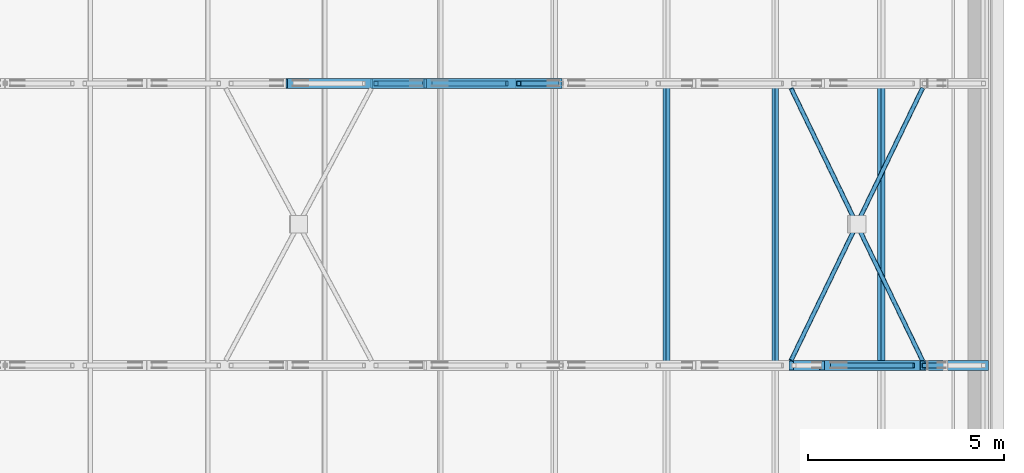
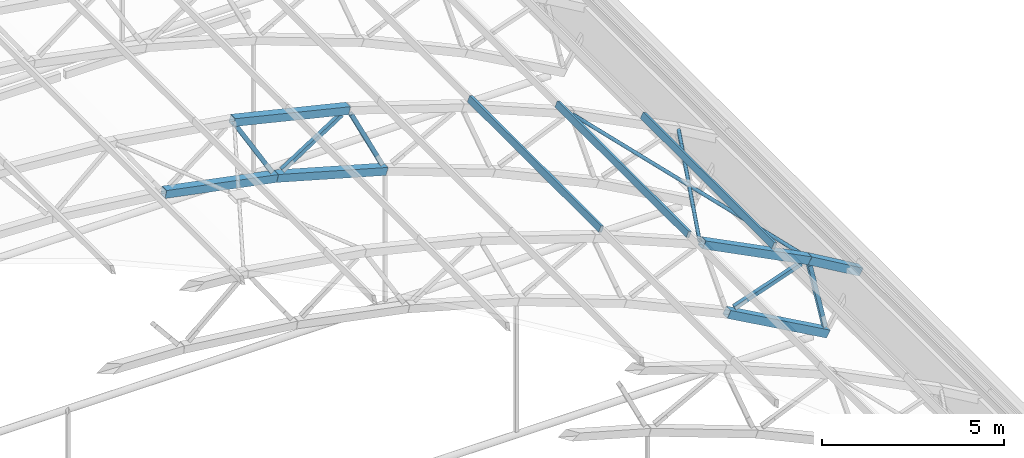
# One storey, part 60 of 127: 17 members.
"""IFC4 building model written with IfcOpenShell, lengths in metres."""

from ifc_helpers import new_model, si_unit, direction, frame, origin, origin_2d, place, context, subcontext, project, spatial, hollow_rectangle, hollow_circle, extrude, material, material_profile, profile_set, type_object, element, save


model = new_model("IFC4")

# Units and contexts
model_context = context("Model", 3, precision=1e-05, world=origin(), true_north=direction((0.0, 1.0)))
body_context = subcontext(model_context, "Body", "Model", "MODEL_VIEW")
ifc_project = project(units=[si_unit("LENGTHUNIT", "METRE"), si_unit("AREAUNIT", "SQUARE_METRE"), si_unit("VOLUMEUNIT", "CUBIC_METRE"), si_unit("PLANEANGLEUNIT", "RADIAN"), si_unit("MASSUNIT", "GRAM", prefix="KILO")], contexts=[model_context])

# Site, building, storey
site_placement = place(None, origin())
site = spatial("IfcSite", under=ifc_project, at=site_placement, CompositionType="ELEMENT")
building_placement = place(site_placement, origin())
building = spatial("IfcBuilding", under=site, at=building_placement, Name="Verrick Yard Athletic Hall", CompositionType="ELEMENT")
storey_placement = place(building_placement, frame((0.0, 0.0, 14.0)))
storey = spatial("IfcBuildingStorey", under=building, at=storey_placement, Name="L03", CompositionType="ELEMENT", Elevation=14.0)

# Members
ifc_material = material(Name="Structural steel HSS Class C 350W (CSA G40.20/G40.21)", Category="steel")
ifc_material_profile_1 = material_profile(ifc_material, hollow_rectangle(XDim=0.25390625, YDim=0.25390625, WallThickness=0.009521484375, at=origin_2d()), Name="HSS254x254x9.5")
ifc_profile_set_1 = profile_set([ifc_material_profile_1], Name="Structural steel HSS Class C 350W (CSA G40.20/G40.21)")
member_type_1 = type_object("IfcMemberType", Name="HB bottom chord HSS254x254x9.5", PredefinedType="CHORD", material=ifc_profile_set_1)
member_1_placement = place(storey_placement, frame((166.45654296875, 86.39990234375, 1.757080078125), z_axis=(0.872897627776, 0.0, -0.487903403783), x_axis=(0.0, 1.0, 0.0)))
element("IfcMember", 1, at=member_1_placement, inside=storey, type_object=member_type_1, Name="Truss TA3 bottom chord 14", PredefinedType="CHORD", context=body_context, shape_type="SweptSolid", body=[
    extrude(hollow_rectangle(XDim=0.25390625, YDim=0.25390625, WallThickness=0.009521484375, at=origin_2d()), origin(), (0.0, 0.0, 1.0), 3.601318359375),
])
for number, where, z_axis, x_axis, name in (
    (2, (152.789306640625, 93.60009765625, 6.191650390625), (0.980848695375, 0.0, -0.194771242181), (0.0, 1.0, 0.0), "Truss TA4 bottom chord 10"),
    (3, (156.326171875, 93.60009765625, 5.489013671875), (0.962577364933, 0.0, -0.271007041457), (0.0, 1.0, 0.0), "Truss TA4 bottom chord 11"),
):
    element("IfcMember", number, at=place(storey_placement, frame(where, z_axis=z_axis, x_axis=x_axis)), inside=storey, type_object=member_type_1, Name=name, PredefinedType="CHORD", context=body_context, shape_type="SweptSolid", body=[
        extrude(hollow_rectangle(XDim=0.25390625, YDim=0.25390625, WallThickness=0.009521484375, at=origin_2d()), origin(), (0.0, 0.0, 1.0), 3.59619140625),
    ])
ifc_material_profile_2 = material_profile(ifc_material, hollow_rectangle(XDim=0.1015625, YDim=0.203125, WallThickness=0.009521484375, at=origin_2d()), Name="HSS203x102x9.5")
ifc_profile_set_2 = profile_set([ifc_material_profile_2], Name="Structural steel HSS Class C 350W (CSA G40.20/G40.21)")
member_type_2 = type_object("IfcMemberType", Name="HB purlin HSS203x102x9.5", PredefinedType="PURLIN", material=ifc_profile_set_2)
for number, where, z_axis, x_axis, name in (
    (4, (162.48486328125, 86.39990234375, 5.92431640625), (0.0, 1.0, 0.0), (-0.924122791552, 0.0, 0.382095624331), "HB-PU-A-3-15"),
    (5, (165.25732421875, 86.39990234375, 4.778076171875), (0.0, 1.0, 0.0), (-0.924122791552, 0.0, 0.382095624331), "HB-PU-A-3-16"),
    (6, (167.965087890625, 86.39990234375, 3.44873046875), (0.0, 1.0, 0.0), (-0.891352741199, 0.0, 0.453310369126), "HB-PU-A-3-17"),
):
    element("IfcMember", number, at=place(storey_placement, frame(where, z_axis=z_axis, x_axis=x_axis)), inside=storey, type_object=member_type_2, Name=name, PredefinedType="PURLIN", context=body_context, shape_type="SweptSolid", body=[
        extrude(hollow_rectangle(XDim=0.1015625, YDim=0.203125, WallThickness=0.009521484375, at=origin_2d()), origin(), (0.0, 0.0, 1.0), 7.2001953125),
    ])
ifc_material_profile_3 = material_profile(ifc_material, hollow_circle(Radius=0.05712890625, WallThickness=0.00634765625, at=origin_2d()), Name="HSS114x6.4")
ifc_profile_set_3 = profile_set([ifc_material_profile_3], Name="Structural steel HSS Class C 350W (CSA G40.20/G40.21)")
member_type_3 = type_object("IfcMemberType", Name="HB roof brace HSS114x6.4", PredefinedType="BRACE", material=ifc_profile_set_3)
for number, where, z_axis, x_axis, name in (
    (7, (165.665283203125, 86.527099609375, 4.362060546875), (0.424555063526, 0.879276717205, -0.215929276887), (-0.90052090018, 0.434812727895, 0.0), "HB-BR-A-3-12b1"),
    (8, (167.386962890625, 90.0927734375, 3.486328125), (0.424607122794, 0.879253008538, -0.215923454607), (-0.900495431236, 0.434865471524, 0.0), "HB-BR-A-3-12b2"),
):
    element("IfcMember", number, at=place(storey_placement, frame(where, z_axis=z_axis, x_axis=x_axis)), inside=storey, type_object=member_type_3, Name=name, PredefinedType="BRACE", context=body_context, shape_type="SweptSolid", body=[
        extrude(hollow_circle(Radius=0.05712890625, WallThickness=0.00634765625, at=origin_2d()), origin(), (0.0, 0.0, 1.0), 3.84423828125),
    ])
member_2_placement = place(storey_placement, frame((169.019287109375, 86.527099609375, 2.65625), z_axis=(-0.424580314375, 0.879262625126, 0.215937010958), x_axis=(-0.90050804506, -0.434839350546, 0.0)))
element("IfcMember", 9, at=member_2_placement, inside=storey, type_object=member_type_3, Name="HB-BR-A-3-12a", PredefinedType="BRACE", context=body_context, shape_type="SweptSolid", body=[
    extrude(hollow_circle(Radius=0.05712890625, WallThickness=0.00634765625, at=origin_2d()), origin(), (0.0, 0.0, 1.0), 7.899658203125),
])
ifc_material_profile_4 = material_profile(ifc_material, hollow_rectangle(XDim=0.25390625, YDim=0.25390625, WallThickness=0.009521484375, at=origin_2d()), Name="HSS254x254x9.5")
ifc_profile_set_4 = profile_set([ifc_material_profile_4], Name="Structural steel HSS Class C 350W (CSA G40.20/G40.21)")
member_type_4 = type_object("IfcMemberType", Name="HB top chord HSS254x254x9.5", PredefinedType="CHORD", material=ifc_profile_set_4)
member_3_placement = place(storey_placement, frame((165.669677734375, 86.39990234375, 4.35986328125), z_axis=(0.891336584454, 0.0, -0.453342137037), x_axis=(0.0, 1.0, 0.0)))
element("IfcMember", 10, at=member_3_placement, inside=storey, type_object=member_type_4, Name="Truss TA3 top chord 14", PredefinedType="CHORD", context=body_context, shape_type="SweptSolid", body=[
    extrude(hollow_rectangle(XDim=0.25390625, YDim=0.25390625, WallThickness=0.009521484375, at=origin_2d()), origin(), (0.0, 0.0, 1.0), 3.754150390625),
])
member_4_placement = place(storey_placement, frame((169.0224609375, 86.39990234375, 2.654541015625), z_axis=(0.863174775639, 0.0, -0.504905245269), x_axis=(0.0, 1.0, 0.0)))
element("IfcMember", 11, at=member_4_placement, inside=storey, type_object=member_type_4, Name="Truss TA3 top chord 15", PredefinedType="CHORD", context=body_context, shape_type="SweptSolid", body=[
    extrude(hollow_rectangle(XDim=0.25390625, YDim=0.25390625, WallThickness=0.009521484375, at=origin_2d()), origin(), (0.0, 0.0, 1.0), 1.878173828125),
])
member_5_placement = place(storey_placement, frame((154.9541015625, 93.60009765625, 7.836669921875), z_axis=(0.972457525524, 0.0, -0.233080160141), x_axis=(0.0, 1.0, 0.0)))
element("IfcMember", 12, at=member_5_placement, inside=storey, type_object=member_type_4, Name="Truss TA4 top chord 11", PredefinedType="CHORD", context=body_context, shape_type="SweptSolid", body=[
    extrude(hollow_rectangle(XDim=0.25390625, YDim=0.25390625, WallThickness=0.009521484375, at=origin_2d()), origin(), (0.0, 0.0, 1.0), 3.7529296875),
])
ifc_material_profile_5 = material_profile(ifc_material, hollow_rectangle(XDim=0.126953125, YDim=0.126953125, WallThickness=0.009521484375, at=origin_2d()), Name="HSS127x127x9.5")
ifc_profile_set_5 = profile_set([ifc_material_profile_5], Name="Structural steel HSS Class C 350W (CSA G40.20/G40.21)")
member_type_5 = type_object("IfcMemberType", Name="HB truss web HSS127x127x9.5", PredefinedType="BRACE", material=ifc_profile_set_5)
member_6_placement = place(storey_placement, frame((166.68701171875, 86.39990234375, 1.841552734375), z_axis=(0.944026930686, 0.0, 0.329868389118), x_axis=(0.0, 1.0, 0.0)))
element("IfcMember", 13, at=member_6_placement, inside=storey, type_object=member_type_5, Name="Truss TA3 web 27", PredefinedType="BRACE", context=body_context, shape_type="SweptSolid", body=[
    extrude(hollow_rectangle(XDim=0.126953125, YDim=0.126953125, WallThickness=0.009521484375, at=origin_2d()), origin(), (0.0, 0.0, 1.0), 2.233642578125),
])
member_7_placement = place(storey_placement, frame((169.068603515625, 86.39990234375, 2.430419921875), z_axis=(0.213603528569, 0.0, -0.976920433087), x_axis=(0.0, 1.0, 0.0)))
element("IfcMember", 14, at=member_7_placement, inside=storey, type_object=member_type_5, Name="Truss end diagonal TA3-28", PredefinedType="BRACE", context=body_context, shape_type="SweptSolid", body=[
    extrude(hollow_rectangle(XDim=0.126953125, YDim=0.126953125, WallThickness=0.009521484375, at=origin_2d()), origin(), (0.0, 0.0, 1.0), 2.261962890625),
])
for number, where, z_axis, x_axis, name in (
    (15, (155.06884765625, 93.60009765625, 7.633544921875), (0.504543682156, 0.0, -0.86338616667), (0.0, 1.0, 0.0), "Truss TA4 web 20"),
    (16, (156.53076171875, 93.60009765625, 5.624755859375), (0.841118094735, 0.0, 0.54085150523), (0.0, 1.0, 0.0), "Truss TA4 web 21"),
    (17, (158.711669921875, 93.60009765625, 6.74755859375), (0.435458074734, 0.0, -0.900209011924), (0.0, 1.0, 0.0), "Truss TA4 web 22"),
):
    element("IfcMember", number, at=place(storey_placement, frame(where, z_axis=z_axis, x_axis=x_axis)), inside=storey, type_object=member_type_5, Name=name, PredefinedType="BRACE", context=body_context, shape_type="SweptSolid", body=[
        extrude(hollow_rectangle(XDim=0.126953125, YDim=0.126953125, WallThickness=0.009521484375, at=origin_2d()), origin(), (0.0, 0.0, 1.0), 2.233642578125),
    ])

save(model, "model.ifc")
